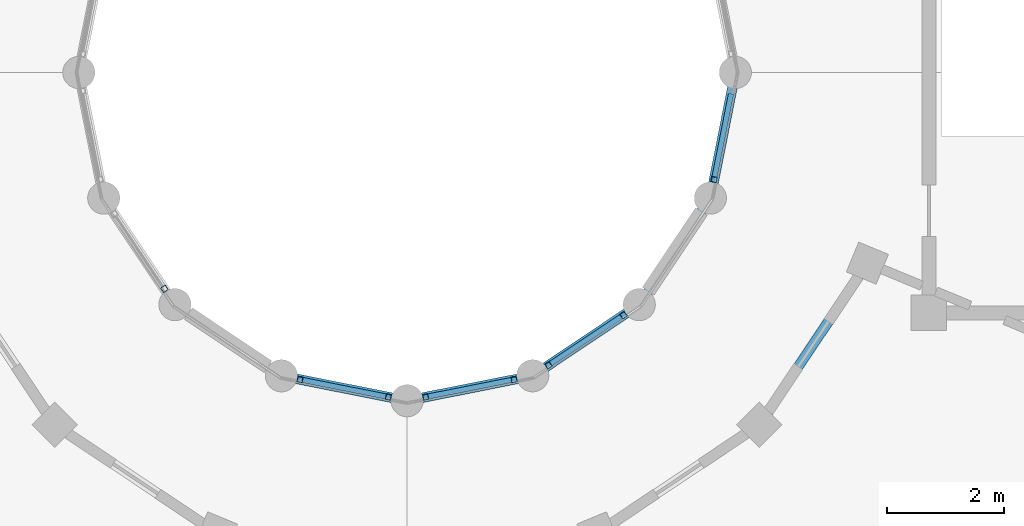
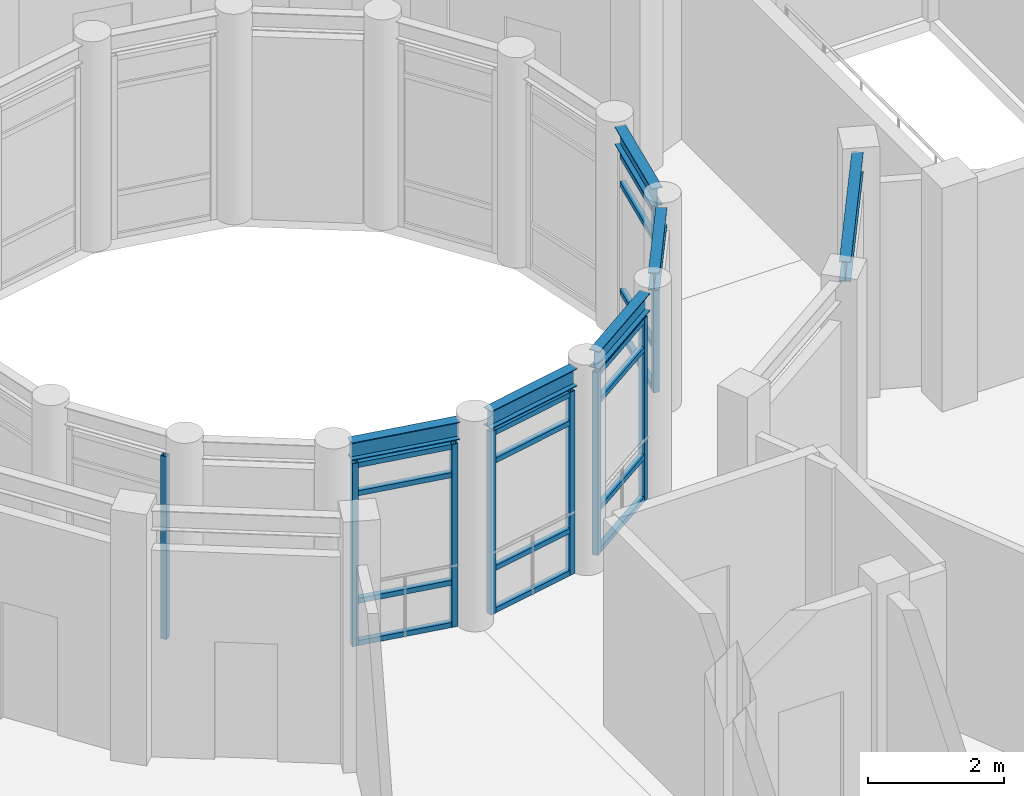
# One storey, part 62 of 149: 24 members, 6 beams, 5 elements without a shape of their own.
"""IFC4 building model written with IfcOpenShell, lengths in metres."""

from ifc_helpers import new_model, si_unit, direction, frame, origin, origin_2d, place, context, subcontext, project, spatial, hollow_rectangle, i_section, extrude, material, material_profile, profile_set, type_object, element, aggregate, save


model = new_model("IFC4")

# Units and contexts
model_context = context("Model", 3, precision=1e-05, world=origin(), true_north=direction((0.0, 1.0)))
body_context = subcontext(model_context, "Body", "Model", "MODEL_VIEW")
ifc_project = project(units=[si_unit("LENGTHUNIT", "METRE"), si_unit("AREAUNIT", "SQUARE_METRE"), si_unit("VOLUMEUNIT", "CUBIC_METRE"), si_unit("PLANEANGLEUNIT", "RADIAN"), si_unit("MASSUNIT", "GRAM", prefix="KILO")], contexts=[model_context])

# Site, building, storey
site_placement = place(None, origin())
site = spatial("IfcSite", under=ifc_project, at=site_placement, CompositionType="ELEMENT")
building_placement = place(site_placement, origin())
building = spatial("IfcBuilding", under=site, at=building_placement, Name="Celadon Cloister-Ring School", CompositionType="ELEMENT")
storey_placement = place(building_placement, frame((0.0, 0.0, 12.5)))
storey = spatial("IfcBuildingStorey", under=building, at=storey_placement, Name="L03", CompositionType="ELEMENT", Elevation=12.5)

# Curtain wall, member
ifc_material_1 = material(Name="Aluminium EN AW-6063 T6", Category="aluminium")
curtain_wall_type = type_object("IfcCurtainWallType", Name="CW-05", PredefinedType="USERDEFINED", material=ifc_material_1)
curtain_wall_1_placement = place(storey_placement, origin())
curtain_wall_1 = element("IfcCurtainWall", 1, at=curtain_wall_1_placement, inside=storey, type_object=curtain_wall_type, Name="Curtain Wall 0122", ObjectType="CURTAIN WALL", PredefinedType="USERDEFINED")
ifc_material_2 = material(Name="Aluminium EN AW-6063 T6", Category="aluminium")
ifc_material_profile_1 = material_profile(ifc_material_2, hollow_rectangle(XDim=0.094970703125, YDim=0.094970703125, WallThickness=0.00390625, at=origin_2d()), Name="RHS95X95X4")
ifc_profile_set_1 = profile_set([ifc_material_profile_1], Name="Aluminium EN AW-6063 T6")
member_type_1 = type_object("IfcMemberType", Name="CM-02", PredefinedType="MULLION", material=ifc_profile_set_1)
member_1_placement = place(storey_placement, frame((16.060546875, 93.30859375, 0.0), z_axis=(0.0, 0.0, 1.0), x_axis=(0.831485091394, 0.555547066224, 0.0)))
member_1 = element("IfcMember", 2, at=member_1_placement, type_object=member_type_1, Name="CW-05 mullion 2", PredefinedType="MULLION", context=body_context, shape_type="SweptSolid", body=[
    extrude(hollow_rectangle(XDim=0.094970703125, YDim=0.094970703125, WallThickness=0.00390625, at=origin_2d()), origin(), (0.0, 0.0, 1.0), 3.27490234375),
])
aggregate(curtain_wall_1, [member_1])

# Curtain wall, members
curtain_wall_2_placement = place(storey_placement, origin())
curtain_wall_2 = element("IfcCurtainWall", 3, at=curtain_wall_2_placement, inside=storey, type_object=curtain_wall_type, Name="Curtain Wall 0123", ObjectType="CURTAIN WALL", PredefinedType="USERDEFINED")
member_2_placement = place(storey_placement, frame((18.37353515625, 91.7626953125, 0.0), z_axis=(0.0, 0.0, 1.0), x_axis=(0.194586131301, 0.980885435464, 0.0)))
member_2 = element("IfcMember", 4, at=member_2_placement, type_object=member_type_1, Name="CW-05 mullion 1", PredefinedType="MULLION", context=body_context, shape_type="SweptSolid", body=[
    extrude(hollow_rectangle(XDim=0.094970703125, YDim=0.094970703125, WallThickness=0.00390625, at=origin_2d()), origin(), (0.0, 0.0, 1.0), 3.27490234375),
])
member_3_placement = place(storey_placement, frame((19.88330078125, 91.463134765625, 0.0), z_axis=(0.0, 0.0, 1.0), x_axis=(0.194586131301, 0.980885435464, 0.0)))
member_3 = element("IfcMember", 5, at=member_3_placement, type_object=member_type_1, Name="CW-05 mullion 2", PredefinedType="MULLION", context=body_context, shape_type="SweptSolid", body=[
    extrude(hollow_rectangle(XDim=0.094970703125, YDim=0.094970703125, WallThickness=0.00390625, at=origin_2d()), origin(), (0.0, 0.0, 1.0), 3.27490234375),
])

curtain_wall_3_placement = place(storey_placement, origin())
curtain_wall_3 = element("IfcCurtainWall", 6, at=curtain_wall_3_placement, inside=storey, type_object=curtain_wall_type, Name="Curtain Wall 0124", ObjectType="CURTAIN WALL", PredefinedType="USERDEFINED")
member_4_placement = place(storey_placement, frame((20.5166015625, 91.463134765625, 0.0), z_axis=(0.0, 0.0, 1.0), x_axis=(-0.194586131301, 0.980885435464, 0.0)))
member_4 = element("IfcMember", 7, at=member_4_placement, type_object=member_type_1, Name="CW-05 mullion 1", PredefinedType="MULLION", context=body_context, shape_type="SweptSolid", body=[
    extrude(hollow_rectangle(XDim=0.094970703125, YDim=0.094970703125, WallThickness=0.00390625, at=origin_2d()), origin(), (0.0, 0.0, 1.0), 3.27490234375),
])
member_5_placement = place(storey_placement, frame((22.0263671875, 91.7626953125, 0.0), z_axis=(0.0, 0.0, 1.0), x_axis=(-0.194586131301, 0.980885435464, 0.0)))
member_5 = element("IfcMember", 8, at=member_5_placement, type_object=member_type_1, Name="CW-05 mullion 2", PredefinedType="MULLION", context=body_context, shape_type="SweptSolid", body=[
    extrude(hollow_rectangle(XDim=0.094970703125, YDim=0.094970703125, WallThickness=0.00390625, at=origin_2d()), origin(), (0.0, 0.0, 1.0), 3.27490234375),
])

curtain_wall_4_placement = place(storey_placement, origin())
curtain_wall_4 = element("IfcCurtainWall", 9, at=curtain_wall_4_placement, inside=storey, type_object=curtain_wall_type, Name="Curtain Wall 0125", ObjectType="CURTAIN WALL", PredefinedType="USERDEFINED")
member_6_placement = place(storey_placement, frame((22.611572265625, 92.00537109375, 0.0), z_axis=(0.0, 0.0, 1.0), x_axis=(-0.555547066224, 0.831485091394, 0.0)))
member_6 = element("IfcMember", 10, at=member_6_placement, type_object=member_type_1, Name="CW-05 mullion 1", PredefinedType="MULLION", context=body_context, shape_type="SweptSolid", body=[
    extrude(hollow_rectangle(XDim=0.094970703125, YDim=0.094970703125, WallThickness=0.00390625, at=origin_2d()), origin(), (0.0, 0.0, 1.0), 3.27490234375),
])
member_7_placement = place(storey_placement, frame((23.8916015625, 92.860595703125, 0.0), z_axis=(0.0, 0.0, 1.0), x_axis=(-0.555547066224, 0.831485091394, 0.0)))
member_7 = element("IfcMember", 11, at=member_7_placement, type_object=member_type_1, Name="CW-05 mullion 2", PredefinedType="MULLION", context=body_context, shape_type="SweptSolid", body=[
    extrude(hollow_rectangle(XDim=0.094970703125, YDim=0.094970703125, WallThickness=0.00390625, at=origin_2d()), origin(), (0.0, 0.0, 1.0), 3.27490234375),
])

# Curtain wall, member
curtain_wall_5_placement = place(storey_placement, origin())
curtain_wall_5 = element("IfcCurtainWall", 12, at=curtain_wall_5_placement, inside=storey, type_object=curtain_wall_type, Name="Curtain Wall 0126", ObjectType="CURTAIN WALL", PredefinedType="USERDEFINED")
member_8_placement = place(storey_placement, frame((25.437255859375, 95.173583984375, 0.0), z_axis=(0.0, 0.0, 1.0), x_axis=(-0.980885435464, 0.194586131301, 0.0)))
member_8 = element("IfcMember", 13, at=member_8_placement, type_object=member_type_1, Name="CW-05 mullion 1", PredefinedType="MULLION", context=body_context, shape_type="SweptSolid", body=[
    extrude(hollow_rectangle(XDim=0.094970703125, YDim=0.094970703125, WallThickness=0.00390625, at=origin_2d()), origin(), (0.0, 0.0, 1.0), 3.27490234375),
])

# Member
ifc_material_3 = material(Name="Aluminium EN AW-6063 T6", Category="aluminium")
ifc_material_profile_2 = material_profile(ifc_material_3, hollow_rectangle(XDim=0.090087890625, YDim=0.090087890625, WallThickness=0.00390625, at=origin_2d()), Name="RHS90X90X4")
ifc_profile_set_2 = profile_set([ifc_material_profile_2], Name="Aluminium EN AW-6063 T6")
member_type_2 = type_object("IfcMemberType", Name="CTM-02", PredefinedType="USERDEFINED", material=ifc_profile_set_2)
member_9_placement = place(storey_placement, frame((18.420166015625, 91.75341796875, 0.044921875), z_axis=(0.98089149302, -0.194555593394, 0.0), x_axis=(0.194555593394, 0.98089149302, 0.0)))
member_9 = element("IfcMember", 14, at=member_9_placement, type_object=member_type_2, Name="CW-05 transom 1.1", ObjectType="TRANSOM", PredefinedType="USERDEFINED", context=body_context, shape_type="SweptSolid", body=[
    extrude(hollow_rectangle(XDim=0.090087890625, YDim=0.090087890625, WallThickness=0.00390625, at=origin_2d()), origin(), (0.0, 0.0, 1.0), 1.4443359375),
])

member_10_placement = place(storey_placement, frame((18.420166015625, 91.75341796875, 0.800048828125), z_axis=(0.98089149302, -0.194555593394, 0.0), x_axis=(0.194555593394, 0.98089149302, 0.0)))
member_10 = element("IfcMember", 15, at=member_10_placement, type_object=member_type_2, Name="CW-05 transom 1.2", ObjectType="TRANSOM", PredefinedType="USERDEFINED", context=body_context, shape_type="SweptSolid", body=[
    extrude(hollow_rectangle(XDim=0.090087890625, YDim=0.090087890625, WallThickness=0.00390625, at=origin_2d()), origin(), (0.0, 0.0, 1.0), 1.4443359375),
])

member_11_placement = place(storey_placement, frame((18.420166015625, 91.75341796875, 2.72509765625), z_axis=(0.98089149302, -0.194555593394, 0.0), x_axis=(0.194555593394, 0.98089149302, 0.0)))
member_11 = element("IfcMember", 16, at=member_11_placement, type_object=member_type_2, Name="CW-05 transom 1.3", ObjectType="TRANSOM", PredefinedType="USERDEFINED", context=body_context, shape_type="SweptSolid", body=[
    extrude(hollow_rectangle(XDim=0.090087890625, YDim=0.090087890625, WallThickness=0.00390625, at=origin_2d()), origin(), (0.0, 0.0, 1.0), 1.4443359375),
])

member_12_placement = place(storey_placement, frame((18.420166015625, 91.75341796875, 3.22998046875), z_axis=(0.98089149302, -0.194555593394, 0.0), x_axis=(0.194555593394, 0.98089149302, 0.0)))
member_12 = element("IfcMember", 17, at=member_12_placement, type_object=member_type_2, Name="CW-05 transom 1.4", ObjectType="TRANSOM", PredefinedType="USERDEFINED", context=body_context, shape_type="SweptSolid", body=[
    extrude(hollow_rectangle(XDim=0.090087890625, YDim=0.090087890625, WallThickness=0.00390625, at=origin_2d()), origin(), (0.0, 0.0, 1.0), 1.4443359375),
])

aggregate(curtain_wall_2, [member_2, member_3, member_9, member_10, member_11, member_12])

member_13_placement = place(storey_placement, frame((20.563232421875, 91.472412109375, 0.044921875), z_axis=(0.980885093257, 0.194587856315, 0.0), x_axis=(-0.194587856315, 0.980885093257, 0.0)))
member_13 = element("IfcMember", 18, at=member_13_placement, type_object=member_type_2, Name="CW-05 transom 1.1", ObjectType="TRANSOM", PredefinedType="USERDEFINED", context=body_context, shape_type="SweptSolid", body=[
    extrude(hollow_rectangle(XDim=0.090087890625, YDim=0.090087890625, WallThickness=0.00390625, at=origin_2d()), origin(), (0.0, 0.0, 1.0), 1.444091796875),
])

member_14_placement = place(storey_placement, frame((20.563232421875, 91.472412109375, 0.800048828125), z_axis=(0.980885093257, 0.194587856315, 0.0), x_axis=(-0.194587856315, 0.980885093257, 0.0)))
member_14 = element("IfcMember", 19, at=member_14_placement, type_object=member_type_2, Name="CW-05 transom 1.2", ObjectType="TRANSOM", PredefinedType="USERDEFINED", context=body_context, shape_type="SweptSolid", body=[
    extrude(hollow_rectangle(XDim=0.090087890625, YDim=0.090087890625, WallThickness=0.00390625, at=origin_2d()), origin(), (0.0, 0.0, 1.0), 1.444091796875),
])

member_15_placement = place(storey_placement, frame((20.563232421875, 91.472412109375, 2.72509765625), z_axis=(0.980885093257, 0.194587856315, 0.0), x_axis=(-0.194587856315, 0.980885093257, 0.0)))
member_15 = element("IfcMember", 20, at=member_15_placement, type_object=member_type_2, Name="CW-05 transom 1.3", ObjectType="TRANSOM", PredefinedType="USERDEFINED", context=body_context, shape_type="SweptSolid", body=[
    extrude(hollow_rectangle(XDim=0.090087890625, YDim=0.090087890625, WallThickness=0.00390625, at=origin_2d()), origin(), (0.0, 0.0, 1.0), 1.444091796875),
])

member_16_placement = place(storey_placement, frame((20.563232421875, 91.472412109375, 3.22998046875), z_axis=(0.980885093257, 0.194587856315, 0.0), x_axis=(-0.194587856315, 0.980885093257, 0.0)))
member_16 = element("IfcMember", 21, at=member_16_placement, type_object=member_type_2, Name="CW-05 transom 1.4", ObjectType="TRANSOM", PredefinedType="USERDEFINED", context=body_context, shape_type="SweptSolid", body=[
    extrude(hollow_rectangle(XDim=0.090087890625, YDim=0.090087890625, WallThickness=0.00390625, at=origin_2d()), origin(), (0.0, 0.0, 1.0), 1.444091796875),
])

aggregate(curtain_wall_3, [member_4, member_5, member_13, member_14, member_15, member_16])

member_17_placement = place(storey_placement, frame((22.65087890625, 92.03173828125, 0.044921875), z_axis=(0.831503875559, 0.555518951009, 0.0), x_axis=(-0.555518951009, 0.831503875559, 0.0)))
member_17 = element("IfcMember", 22, at=member_17_placement, type_object=member_type_2, Name="CW-05 transom 1.1", ObjectType="TRANSOM", PredefinedType="USERDEFINED", context=body_context, shape_type="SweptSolid", body=[
    extrude(hollow_rectangle(XDim=0.090087890625, YDim=0.090087890625, WallThickness=0.00390625, at=origin_2d()), origin(), (0.0, 0.0, 1.0), 1.444580078125),
])

member_18_placement = place(storey_placement, frame((22.65087890625, 92.03173828125, 0.800048828125), z_axis=(0.831503875559, 0.555518951009, 0.0), x_axis=(-0.555518951009, 0.831503875559, 0.0)))
member_18 = element("IfcMember", 23, at=member_18_placement, type_object=member_type_2, Name="CW-05 transom 1.2", ObjectType="TRANSOM", PredefinedType="USERDEFINED", context=body_context, shape_type="SweptSolid", body=[
    extrude(hollow_rectangle(XDim=0.090087890625, YDim=0.090087890625, WallThickness=0.00390625, at=origin_2d()), origin(), (0.0, 0.0, 1.0), 1.444580078125),
])

member_19_placement = place(storey_placement, frame((22.65087890625, 92.03173828125, 2.72509765625), z_axis=(0.831503875559, 0.555518951009, 0.0), x_axis=(-0.555518951009, 0.831503875559, 0.0)))
member_19 = element("IfcMember", 24, at=member_19_placement, type_object=member_type_2, Name="CW-05 transom 1.3", ObjectType="TRANSOM", PredefinedType="USERDEFINED", context=body_context, shape_type="SweptSolid", body=[
    extrude(hollow_rectangle(XDim=0.090087890625, YDim=0.090087890625, WallThickness=0.00390625, at=origin_2d()), origin(), (0.0, 0.0, 1.0), 1.444580078125),
])

member_20_placement = place(storey_placement, frame((22.65087890625, 92.03173828125, 3.22998046875), z_axis=(0.831503875559, 0.555518951009, 0.0), x_axis=(-0.555518951009, 0.831503875559, 0.0)))
member_20 = element("IfcMember", 25, at=member_20_placement, type_object=member_type_2, Name="CW-05 transom 1.4", ObjectType="TRANSOM", PredefinedType="USERDEFINED", context=body_context, shape_type="SweptSolid", body=[
    extrude(hollow_rectangle(XDim=0.090087890625, YDim=0.090087890625, WallThickness=0.00390625, at=origin_2d()), origin(), (0.0, 0.0, 1.0), 1.444580078125),
])

aggregate(curtain_wall_4, [member_6, member_7, member_17, member_18, member_19, member_20])

member_21_placement = place(storey_placement, frame((25.446533203125, 95.22021484375, 0.044921875), z_axis=(0.194587856315, 0.980885093257, 0.0), x_axis=(-0.980885093257, 0.194587856315, 0.0)))
member_21 = element("IfcMember", 26, at=member_21_placement, type_object=member_type_2, Name="CW-05 transom 1.1", ObjectType="TRANSOM", PredefinedType="USERDEFINED", context=body_context, shape_type="SweptSolid", body=[
    extrude(hollow_rectangle(XDim=0.090087890625, YDim=0.090087890625, WallThickness=0.00390625, at=origin_2d()), origin(), (0.0, 0.0, 1.0), 1.444091796875),
])

member_22_placement = place(storey_placement, frame((25.446533203125, 95.22021484375, 0.800048828125), z_axis=(0.194587856315, 0.980885093257, 0.0), x_axis=(-0.980885093257, 0.194587856315, 0.0)))
member_22 = element("IfcMember", 27, at=member_22_placement, type_object=member_type_2, Name="CW-05 transom 1.2", ObjectType="TRANSOM", PredefinedType="USERDEFINED", context=body_context, shape_type="SweptSolid", body=[
    extrude(hollow_rectangle(XDim=0.090087890625, YDim=0.090087890625, WallThickness=0.00390625, at=origin_2d()), origin(), (0.0, 0.0, 1.0), 1.444091796875),
])

member_23_placement = place(storey_placement, frame((25.446533203125, 95.22021484375, 2.72509765625), z_axis=(0.194587856315, 0.980885093257, 0.0), x_axis=(-0.980885093257, 0.194587856315, 0.0)))
member_23 = element("IfcMember", 28, at=member_23_placement, type_object=member_type_2, Name="CW-05 transom 1.3", ObjectType="TRANSOM", PredefinedType="USERDEFINED", context=body_context, shape_type="SweptSolid", body=[
    extrude(hollow_rectangle(XDim=0.090087890625, YDim=0.090087890625, WallThickness=0.00390625, at=origin_2d()), origin(), (0.0, 0.0, 1.0), 1.444091796875),
])

member_24_placement = place(storey_placement, frame((25.446533203125, 95.22021484375, 3.22998046875), z_axis=(0.194587856315, 0.980885093257, 0.0), x_axis=(-0.980885093257, 0.194587856315, 0.0)))
member_24 = element("IfcMember", 29, at=member_24_placement, type_object=member_type_2, Name="CW-05 transom 1.4", ObjectType="TRANSOM", PredefinedType="USERDEFINED", context=body_context, shape_type="SweptSolid", body=[
    extrude(hollow_rectangle(XDim=0.090087890625, YDim=0.090087890625, WallThickness=0.00390625, at=origin_2d()), origin(), (0.0, 0.0, 1.0), 1.444091796875),
])

aggregate(curtain_wall_5, [member_8, member_21, member_22, member_23, member_24])

# Beams
ifc_material_4 = material(Name="Structural steel S355JR", Category="steel")
ifc_material_profile_3 = material_profile(ifc_material_4, i_section(OverallWidth=0.1708984375, OverallDepth=0.35498046875, WebThickness=0.007080078125, FlangeThickness=0.01171875, at=origin_2d()), Name="W360X51")
ifc_profile_set_3 = profile_set([ifc_material_profile_3], Name="Structural steel S355JR")
beam_type_1 = type_object("IfcBeamType", Name="GT-08", PredefinedType="USERDEFINED", material=ifc_profile_set_3)
beam_1_placement = place(storey_placement, frame((26.34912109375, 91.197998046875, 4.222900390625), z_axis=(0.555740149771, 0.831356052442, 0.0), x_axis=(-0.831356052442, 0.555740149771, 0.0)))
element("IfcBeam", 30, at=beam_1_placement, inside=storey, type_object=beam_type_1, Name="Beam 0846", ObjectType="GIRDER", PredefinedType="USERDEFINED", context=body_context, shape_type="SweptSolid", body=[
    extrude(i_section(OverallWidth=0.1708984375, OverallDepth=0.35498046875, WebThickness=0.007080078125, FlangeThickness=0.01171875, at=origin_2d()), origin(), (0.0, 0.0, 1.0), 2.81591796875),
])
ifc_material_5 = material(Name="Structural steel S355JR", Category="steel")
ifc_material_profile_4 = material_profile(ifc_material_5, i_section(OverallWidth=0.1669921875, OverallDepth=0.31689453125, WebThickness=0.007568359375, FlangeThickness=0.01318359375, at=origin_2d()), Name="W310X52")
ifc_profile_set_4 = profile_set([ifc_material_profile_4], Name="Structural steel S355JR")
beam_type_2 = type_object("IfcBeamType", Name="SP-05", PredefinedType="SPANDREL", material=ifc_profile_set_4)
beam_2_placement = place(storey_placement, frame((18.302001953125, 91.777099609375, 3.51708984375), z_axis=(0.980863799725, -0.194695162728, 0.0), x_axis=(0.194695162728, 0.980863799725, 0.0)))
element("IfcBeam", 31, at=beam_2_placement, inside=storey, type_object=beam_type_2, Name="Beam 0839", PredefinedType="SPANDREL", context=body_context, shape_type="SweptSolid", body=[
    extrude(i_section(OverallWidth=0.1669921875, OverallDepth=0.31689453125, WebThickness=0.007568359375, FlangeThickness=0.01318359375, at=origin_2d()), origin(), (0.0, 0.0, 1.0), 1.685302734375),
])
beam_3_placement = place(storey_placement, frame((20.445068359375, 91.448974609375, 3.51708984375), z_axis=(0.980858307367, 0.194722830887, 0.0), x_axis=(-0.194722830887, 0.980858307367, 0.0)))
element("IfcBeam", 32, at=beam_3_placement, inside=storey, type_object=beam_type_2, Name="Beam 0841", PredefinedType="SPANDREL", context=body_context, shape_type="SweptSolid", body=[
    extrude(i_section(OverallWidth=0.1669921875, OverallDepth=0.31689453125, WebThickness=0.007568359375, FlangeThickness=0.01318359375, at=origin_2d()), origin(), (0.0, 0.0, 1.0), 1.68505859375),
])
beam_4_placement = place(storey_placement, frame((22.551025390625, 91.965087890625, 3.51708984375), z_axis=(0.831537153477, 0.555469137204, 0.0), x_axis=(-0.555469137204, 0.831537153477, 0.0)))
element("IfcBeam", 33, at=beam_4_placement, inside=storey, type_object=beam_type_2, Name="Beam 0844", PredefinedType="SPANDREL", context=body_context, shape_type="SweptSolid", body=[
    extrude(i_section(OverallWidth=0.1669921875, OverallDepth=0.31689453125, WebThickness=0.007568359375, FlangeThickness=0.01318359375, at=origin_2d()), origin(), (0.0, 0.0, 1.0), 1.6845703125),
])
beam_5_placement = place(storey_placement, frame((24.299072265625, 93.248046875, 3.51708984375), z_axis=(0.555569328961, 0.831470216374, 0.0), x_axis=(-0.831470216374, 0.555569328961, 0.0)))
element("IfcBeam", 34, at=beam_5_placement, inside=storey, type_object=beam_type_2, Name="Beam 0847", PredefinedType="SPANDREL", context=body_context, shape_type="SweptSolid", body=[
    extrude(i_section(OverallWidth=0.1669921875, OverallDepth=0.31689453125, WebThickness=0.007568359375, FlangeThickness=0.01318359375, at=origin_2d()), origin(), (0.0, 0.0, 1.0), 1.684814453125),
])
beam_6_placement = place(storey_placement, frame((25.423095703125, 95.10205078125, 3.51708984375), z_axis=(0.194583435458, 0.980885970256, 0.0), x_axis=(-0.980885970256, 0.194583435458, 0.0)))
element("IfcBeam", 35, at=beam_6_placement, inside=storey, type_object=beam_type_2, Name="Beam 0849", PredefinedType="SPANDREL", context=body_context, shape_type="SweptSolid", body=[
    extrude(i_section(OverallWidth=0.1669921875, OverallDepth=0.31689453125, WebThickness=0.007568359375, FlangeThickness=0.01318359375, at=origin_2d()), origin(), (0.0, 0.0, 1.0), 1.68505859375),
])

save(model, "model.ifc")
